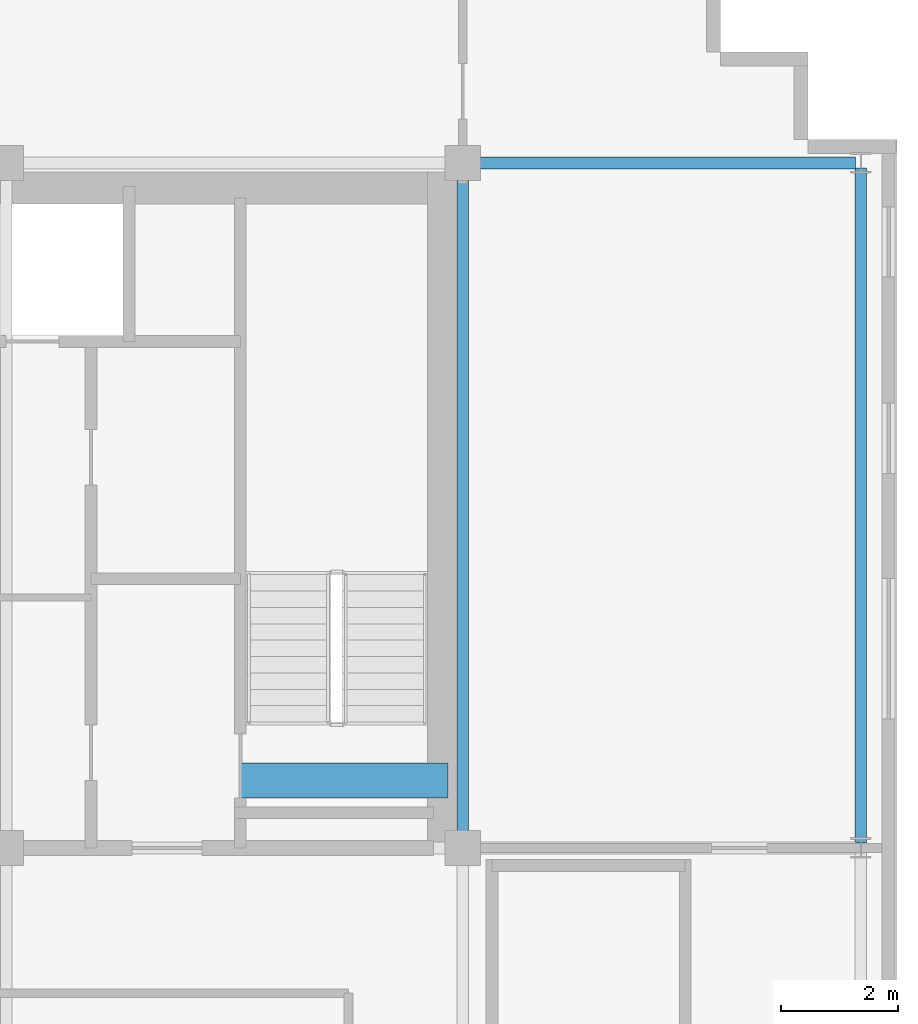
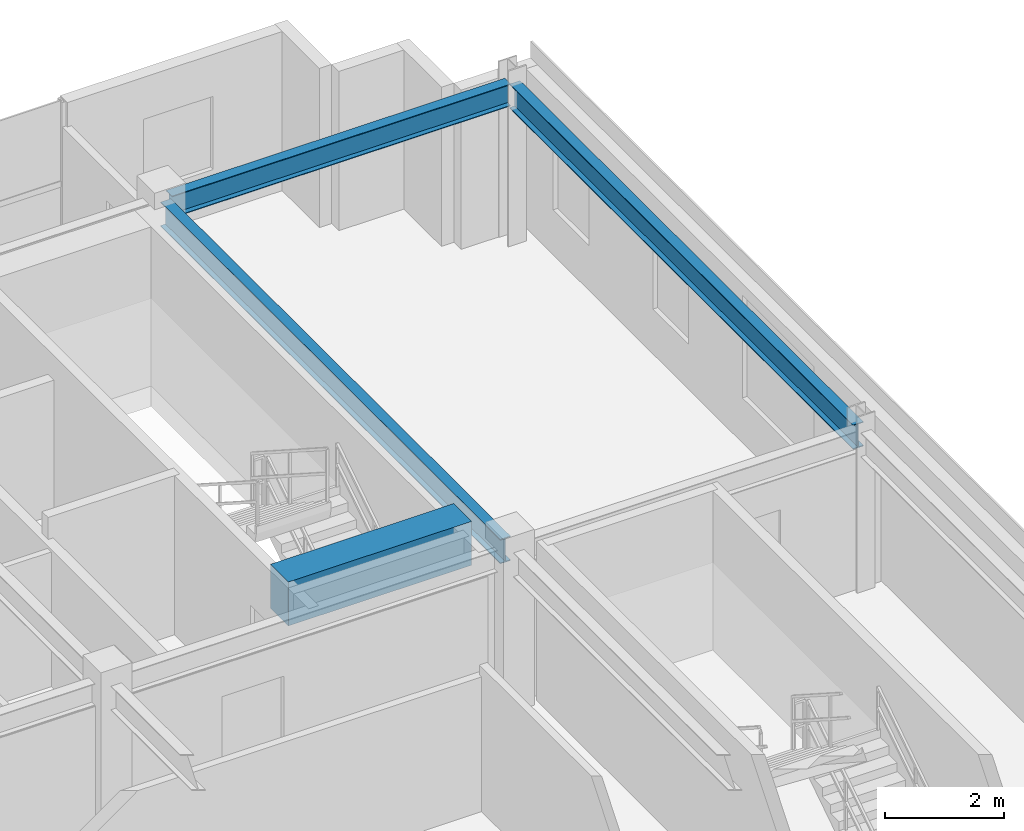
# One storey, part 17 of 28: 4 beams.
"""IFC4 building model written with IfcOpenShell, lengths in metres."""

from ifc_helpers import new_model, si_unit, direction, frame, origin, origin_2d, place, context, subcontext, project, spatial, rectangle, i_section, extrude, source, transform, mapped, material, material_profile, profile_set, type_object, element, save


model = new_model("IFC4")

# Units and contexts
model_context = context("Model", 3, precision=1e-05, world=origin(), true_north=direction((0.0, 1.0)))
body_context = subcontext(model_context, "Body", "Model", "MODEL_VIEW")
ifc_project = project(units=[si_unit("LENGTHUNIT", "METRE"), si_unit("AREAUNIT", "SQUARE_METRE"), si_unit("VOLUMEUNIT", "CUBIC_METRE"), si_unit("PLANEANGLEUNIT", "RADIAN"), si_unit("MASSUNIT", "GRAM", prefix="KILO")], contexts=[model_context])

# Site, building, storey
site_placement = place(None, origin())
site = spatial("IfcSite", under=ifc_project, at=site_placement, CompositionType="ELEMENT")
building_placement = place(site_placement, origin())
building = spatial("IfcBuilding", under=site, at=building_placement, Name="Trelvane Seafront Commons", CompositionType="ELEMENT")
storey_placement = place(building_placement, frame((0.0, 0.0, 295.5)))
storey = spatial("IfcBuildingStorey", under=building, at=storey_placement, Name="L77", CompositionType="ELEMENT", Elevation=295.5)

# Beams
ifc_material_1 = material(Name="Concrete C60/75", Category="concrete")
ifc_material_profile_1 = material_profile(ifc_material_1, rectangle(XDim=0.60009765625, YDim=0.89990234375, at=origin_2d()), Name="RC-600x900")
ifc_profile_set_1 = profile_set([ifc_material_profile_1], Name="Concrete C60/75")
beam_type_1 = type_object("IfcBeamType", Name="STR-LNT-RC600x900", PredefinedType="LINTEL", material=ifc_profile_set_1)
shared_shape_1 = source(origin(), body_context, "Body", "SweptSolid", [
    extrude(rectangle(XDim=0.60009765625, YDim=0.89990234375, at=origin_2d()), origin(), (0.0, 0.0, 1.0), 3.550048828125),
])
beam_1_placement = place(storey_placement, frame((55.0, 34.550048828125, 2.81005859375), z_axis=(1.0, 0.0, 0.0), x_axis=(0.0, 1.0, 0.0)))
element("IfcBeam", 1, at=beam_1_placement, inside=storey, type_object=beam_type_1, Name="L77 Core Coupling Lintel Beam CB-67", PredefinedType="LINTEL", context=body_context, shape_type="MappedRepresentation", body=[
    mapped(shared_shape_1, transform((0.0, 0.0, 0.0), x_axis=(1.0, 0.0, 0.0), y_axis=(0.0, 1.0, 0.0), z_axis=(0.0, 0.0, 1.0), scale=1.0)),
])
ifc_material_2 = material(Name="Steel SM355 (S355)", Category="steel")
ifc_material_profile_2 = material_profile(ifc_material_2, i_section(OverallWidth=0.199951171875, OverallDepth=0.5, WebThickness=0.010009765625, FlangeThickness=0.01611328125, at=origin_2d()), Name="H-500x200x10x16")
ifc_profile_set_2 = profile_set([ifc_material_profile_2], Name="Steel SM355 (S355)")
beam_type_2 = type_object("IfcBeamType", Name="STR-BM-H500", PredefinedType="BEAM", material=ifc_profile_set_2)
shared_shape_2 = source(origin(), body_context, "Body", "SweptSolid", [
    extrude(i_section(OverallWidth=0.199951171875, OverallDepth=0.5, WebThickness=0.010009765625, FlangeThickness=0.01611328125, at=origin_2d()), origin(), (0.0, 0.0, 1.0), 11.39990234375),
])
beam_2_placement = place(storey_placement, frame((58.800048828125, 33.550048828125, 3.010009765625), z_axis=(0.0, 1.0, 0.0), x_axis=(-1.0, 0.0, 0.0)))
element("IfcBeam", 2, at=beam_2_placement, inside=storey, type_object=beam_type_2, Name="L77 Primary Girder G-49", PredefinedType="BEAM", context=body_context, shape_type="MappedRepresentation", body=[
    mapped(shared_shape_2, transform((0.0, 0.0, 0.0), x_axis=(1.0, 0.0, 0.0), y_axis=(0.0, 1.0, 0.0), z_axis=(0.0, 0.0, 1.0), scale=1.0)),
])
ifc_material_profile_3 = material_profile(ifc_material_2, i_section(OverallWidth=0.199951171875, OverallDepth=0.449951171875, WebThickness=0.009033203125, FlangeThickness=0.013916015625, at=origin_2d()), Name="H-450x200x9x14")
ifc_profile_set_3 = profile_set([ifc_material_profile_3], Name="Steel SM355 (S355)")
beam_type_3 = type_object("IfcBeamType", Name="STR-SPD-H450", PredefinedType="SPANDREL", material=ifc_profile_set_3)
shared_shape_3 = source(origin(), body_context, "Body", "SweptSolid", [
    extrude(i_section(OverallWidth=0.199951171875, OverallDepth=0.449951171875, WebThickness=0.009033203125, FlangeThickness=0.013916015625, at=origin_2d()), origin(), (0.0, 0.0, 1.0), 6.5625),
])
beam_3_placement = place(storey_placement, frame((58.949951171875, 45.10009765625, 3.034912109375), z_axis=(1.0, 0.0, 0.0), x_axis=(0.0, 1.0, 0.0)))
element("IfcBeam", 3, at=beam_3_placement, inside=storey, type_object=beam_type_3, Name="L77 Primary Girder G-28", PredefinedType="SPANDREL", context=body_context, shape_type="MappedRepresentation", body=[
    mapped(shared_shape_3, transform((0.0, 0.0, 0.0), x_axis=(1.0, 0.0, 0.0), y_axis=(0.0, 1.0, 0.0), z_axis=(0.0, 0.0, 1.0), scale=1.0)),
])
shared_shape_4 = source(origin(), body_context, "Body", "SweptSolid", [
    extrude(i_section(OverallWidth=0.199951171875, OverallDepth=0.5, WebThickness=0.010009765625, FlangeThickness=0.01611328125, at=origin_2d()), origin(), (0.0, 0.0, 1.0), 11.52490234375),
])
beam_4_placement = place(storey_placement, frame((65.60009765625, 33.487548828125, 3.010009765625), z_axis=(0.0, 1.0, 0.0), x_axis=(-1.0, 0.0, 0.0)))
element("IfcBeam", 4, at=beam_4_placement, inside=storey, type_object=beam_type_2, Name="L77 Primary Girder G-52", PredefinedType="BEAM", context=body_context, shape_type="MappedRepresentation", body=[
    mapped(shared_shape_4, transform((0.0, 0.0, 0.0), x_axis=(1.0, 0.0, 0.0), y_axis=(0.0, 1.0, 0.0), z_axis=(0.0, 0.0, 1.0), scale=1.0)),
])

save(model, "model.ifc")
